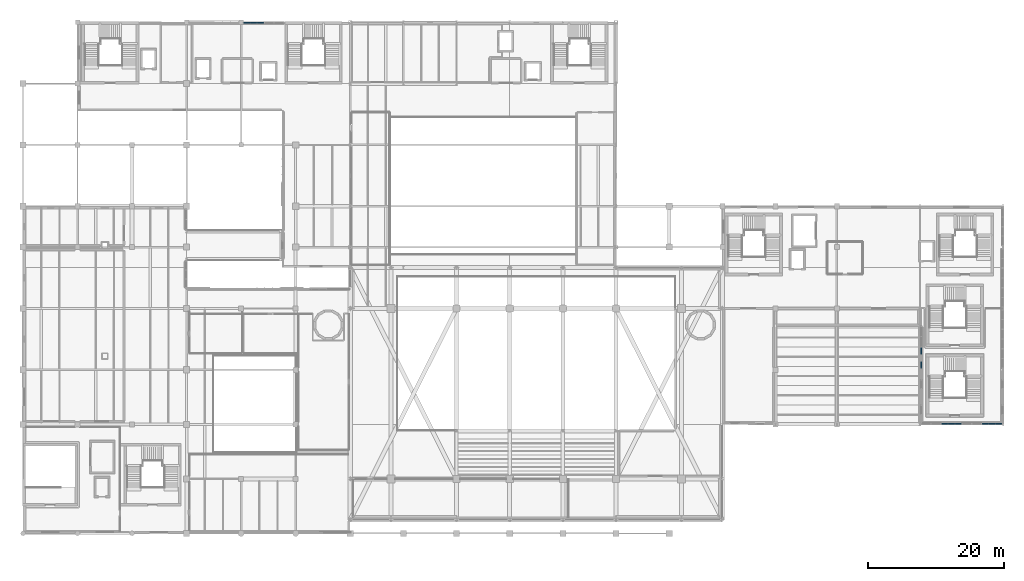
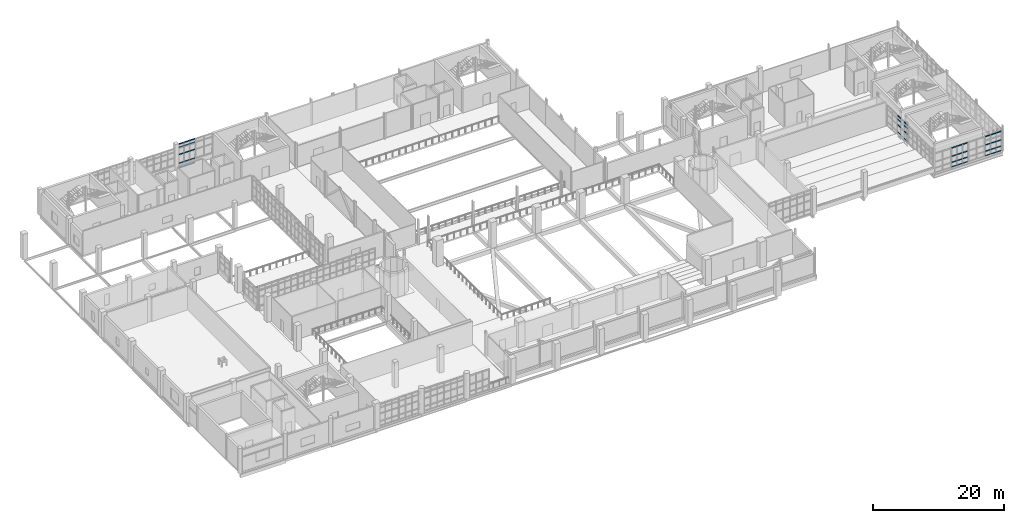
# One storey, part 59 of 100: 49 members, 4 elements without a shape of their own.
"""IFC4 building model written with IfcOpenShell, lengths in metres."""

from ifc_helpers import new_model, si_unit, derived_unit, direction, frame, origin, origin_2d, place, context, subcontext, project, spatial, hollow_rectangle, extrude, material, layer, layer_set, material_profile, profile_set, type_object, element, aggregate, save


model = new_model("IFC4")

# Units and contexts
model_context = context("Model", 3, precision=1e-05, world=origin(), true_north=direction((0.0, 1.0)))
body_context = subcontext(model_context, "Body", "Model", "MODEL_VIEW")
ifc_project = project(units=[si_unit("LENGTHUNIT", "METRE"), si_unit("AREAUNIT", "SQUARE_METRE"), si_unit("VOLUMEUNIT", "CUBIC_METRE"), si_unit("PLANEANGLEUNIT", "RADIAN"), si_unit("MASSUNIT", "GRAM", prefix="KILO"), derived_unit("THERMALTRANSMITTANCEUNIT", [(si_unit("POWERUNIT", "WATT"), 1), (si_unit("LENGTHUNIT", "METRE"), -2), (si_unit("THERMODYNAMICTEMPERATUREUNIT", "KELVIN"), -1)])], contexts=[model_context])

# Site, building, storey
site_placement = place(None, origin())
site = spatial("IfcSite", under=ifc_project, at=site_placement, CompositionType="ELEMENT")
building_placement = place(site_placement, origin())
building = spatial("IfcBuilding", under=site, at=building_placement, Name="Nallur Shell Playhouse", CompositionType="ELEMENT")
storey_placement = place(building_placement, frame((0.0, 0.0, 10.199951171875)))
storey = spatial("IfcBuildingStorey", under=building, at=storey_placement, Name="L03", CompositionType="ELEMENT", Elevation=10.199951171875)

# Curtain wall, members
ifc_material_1 = material(Name="Anodised Aluminium Double-Glazed Facade System", Category="aluminium")
ifc_layer_1 = layer(ifc_material_1, 0.159912109375)
ifc_layer_set_1 = layer_set([ifc_layer_1], Name="Anodised Aluminium Double-Glazed Facade System")
curtain_wall_type_1 = type_object("IfcCurtainWallType", Name="CW-UNIT-12", PredefinedType="NOTDEFINED", material=ifc_layer_set_1)
curtain_wall_1_placement = place(storey_placement, origin())
curtain_wall_1 = element("IfcCurtainWall", 1, at=curtain_wall_1_placement, inside=storey, type_object=curtain_wall_type_1, Name="Unitised curtain wall CW-076 (L03)", PredefinedType="NOTDEFINED")
ifc_material_2 = material(Name="Aluminium Alloy 6063-T6 Transom", Category="aluminium")
ifc_material_profile = material_profile(ifc_material_2, hollow_rectangle(XDim=0.10009765625, YDim=0.199951171875, WallThickness=0.008056640625, at=origin_2d()), Name="RHS 200x100x8")
ifc_profile_set = profile_set([ifc_material_profile], Name="Aluminium Alloy 6063-T6 Transom")
member_type = type_object("IfcMemberType", Name="MB-CW-TRN140", PredefinedType="USERDEFINED", material=ifc_profile_set)
member_1_placement = place(storey_placement, frame((48.389892578125, 82.909912109375, 0.050048828125), z_axis=(1.0, 0.0, 0.0), x_axis=(0.0, 1.0, 0.0)))
member_1 = element("IfcMember", 2, at=member_1_placement, type_object=member_type, Name="CW-12 transom 1.1", ObjectType="TRANSOM", PredefinedType="USERDEFINED", context=body_context, shape_type="SweptSolid", body=[
    extrude(hollow_rectangle(XDim=0.10009765625, YDim=0.199951171875, WallThickness=0.008056640625, at=origin_2d()), origin(), (0.0, 0.0, 1.0), 0.919677734375),
])
member_2_placement = place(storey_placement, frame((48.389892578125, 82.909912109375, 0.900146484375), z_axis=(1.0, 0.0, 0.0), x_axis=(0.0, 1.0, 0.0)))
member_2 = element("IfcMember", 3, at=member_2_placement, type_object=member_type, Name="CW-12 transom 1.2", ObjectType="TRANSOM", PredefinedType="USERDEFINED", context=body_context, shape_type="SweptSolid", body=[
    extrude(hollow_rectangle(XDim=0.10009765625, YDim=0.199951171875, WallThickness=0.008056640625, at=origin_2d()), origin(), (0.0, 0.0, 1.0), 0.919677734375),
])
member_3_placement = place(storey_placement, frame((48.389892578125, 82.909912109375, 2.5419921875), z_axis=(1.0, 0.0, 0.0), x_axis=(0.0, 1.0, 0.0)))
member_3 = element("IfcMember", 4, at=member_3_placement, type_object=member_type, Name="CW-12 transom 1.3", ObjectType="TRANSOM", PredefinedType="USERDEFINED", context=body_context, shape_type="SweptSolid", body=[
    extrude(hollow_rectangle(XDim=0.10009765625, YDim=0.199951171875, WallThickness=0.008056640625, at=origin_2d()), origin(), (0.0, 0.0, 1.0), 0.919677734375),
])
member_4_placement = place(storey_placement, frame((48.389892578125, 82.909912109375, 3.860107421875), z_axis=(1.0, 0.0, 0.0), x_axis=(0.0, 1.0, 0.0)))
member_4 = element("IfcMember", 5, at=member_4_placement, type_object=member_type, Name="CW-12 transom 1.4", ObjectType="TRANSOM", PredefinedType="USERDEFINED", context=body_context, shape_type="SweptSolid", body=[
    extrude(hollow_rectangle(XDim=0.10009765625, YDim=0.199951171875, WallThickness=0.008056640625, at=origin_2d()), origin(), (0.0, 0.0, 1.0), 0.919677734375),
])
member_5_placement = place(storey_placement, frame((48.389892578125, 82.909912109375, 4.489990234375), z_axis=(1.0, 0.0, 0.0), x_axis=(0.0, 1.0, 0.0)))
member_5 = element("IfcMember", 6, at=member_5_placement, type_object=member_type, Name="CW-12 transom 1.5", ObjectType="TRANSOM", PredefinedType="USERDEFINED", context=body_context, shape_type="SweptSolid", body=[
    extrude(hollow_rectangle(XDim=0.10009765625, YDim=0.199951171875, WallThickness=0.008056640625, at=origin_2d()), origin(), (0.0, 0.0, 1.0), 0.919677734375),
])
member_6_placement = place(storey_placement, frame((49.358642578125, 82.909912109375, 0.050048828125), z_axis=(1.0, 0.0, 0.0), x_axis=(0.0, 1.0, 0.0)))
member_6 = element("IfcMember", 7, at=member_6_placement, type_object=member_type, Name="CW-12 transom 2.1", ObjectType="TRANSOM", PredefinedType="USERDEFINED", context=body_context, shape_type="SweptSolid", body=[
    extrude(hollow_rectangle(XDim=0.10009765625, YDim=0.199951171875, WallThickness=0.008056640625, at=origin_2d()), origin(), (0.0, 0.0, 1.0), 0.9521484375),
])
member_7_placement = place(storey_placement, frame((49.358642578125, 82.909912109375, 0.900146484375), z_axis=(1.0, 0.0, 0.0), x_axis=(0.0, 1.0, 0.0)))
member_7 = element("IfcMember", 8, at=member_7_placement, type_object=member_type, Name="CW-12 transom 2.2", ObjectType="TRANSOM", PredefinedType="USERDEFINED", context=body_context, shape_type="SweptSolid", body=[
    extrude(hollow_rectangle(XDim=0.10009765625, YDim=0.199951171875, WallThickness=0.008056640625, at=origin_2d()), origin(), (0.0, 0.0, 1.0), 0.9521484375),
])
member_8_placement = place(storey_placement, frame((49.358642578125, 82.909912109375, 2.5419921875), z_axis=(1.0, 0.0, 0.0), x_axis=(0.0, 1.0, 0.0)))
member_8 = element("IfcMember", 9, at=member_8_placement, type_object=member_type, Name="CW-12 transom 2.3", ObjectType="TRANSOM", PredefinedType="USERDEFINED", context=body_context, shape_type="SweptSolid", body=[
    extrude(hollow_rectangle(XDim=0.10009765625, YDim=0.199951171875, WallThickness=0.008056640625, at=origin_2d()), origin(), (0.0, 0.0, 1.0), 0.9521484375),
])
member_9_placement = place(storey_placement, frame((49.358642578125, 82.909912109375, 3.860107421875), z_axis=(1.0, 0.0, 0.0), x_axis=(0.0, 1.0, 0.0)))
member_9 = element("IfcMember", 10, at=member_9_placement, type_object=member_type, Name="CW-12 transom 2.4", ObjectType="TRANSOM", PredefinedType="USERDEFINED", context=body_context, shape_type="SweptSolid", body=[
    extrude(hollow_rectangle(XDim=0.10009765625, YDim=0.199951171875, WallThickness=0.008056640625, at=origin_2d()), origin(), (0.0, 0.0, 1.0), 0.9521484375),
])
member_10_placement = place(storey_placement, frame((49.358642578125, 82.909912109375, 4.489990234375), z_axis=(1.0, 0.0, 0.0), x_axis=(0.0, 1.0, 0.0)))
member_10 = element("IfcMember", 11, at=member_10_placement, type_object=member_type, Name="CW-12 transom 2.5", ObjectType="TRANSOM", PredefinedType="USERDEFINED", context=body_context, shape_type="SweptSolid", body=[
    extrude(hollow_rectangle(XDim=0.10009765625, YDim=0.199951171875, WallThickness=0.008056640625, at=origin_2d()), origin(), (0.0, 0.0, 1.0), 0.9521484375),
])
member_11_placement = place(storey_placement, frame((50.35986328125, 82.909912109375, 0.050048828125), z_axis=(1.0, 0.0, 0.0), x_axis=(0.0, 1.0, 0.0)))
member_11 = element("IfcMember", 12, at=member_11_placement, type_object=member_type, Name="CW-12 transom 3.1", ObjectType="TRANSOM", PredefinedType="USERDEFINED", context=body_context, shape_type="SweptSolid", body=[
    extrude(hollow_rectangle(XDim=0.10009765625, YDim=0.199951171875, WallThickness=0.008056640625, at=origin_2d()), origin(), (0.0, 0.0, 1.0), 0.919677734375),
])
member_12_placement = place(storey_placement, frame((50.35986328125, 82.909912109375, 0.900146484375), z_axis=(1.0, 0.0, 0.0), x_axis=(0.0, 1.0, 0.0)))
member_12 = element("IfcMember", 13, at=member_12_placement, type_object=member_type, Name="CW-12 transom 3.2", ObjectType="TRANSOM", PredefinedType="USERDEFINED", context=body_context, shape_type="SweptSolid", body=[
    extrude(hollow_rectangle(XDim=0.10009765625, YDim=0.199951171875, WallThickness=0.008056640625, at=origin_2d()), origin(), (0.0, 0.0, 1.0), 0.919677734375),
])
member_13_placement = place(storey_placement, frame((50.35986328125, 82.909912109375, 2.5419921875), z_axis=(1.0, 0.0, 0.0), x_axis=(0.0, 1.0, 0.0)))
member_13 = element("IfcMember", 14, at=member_13_placement, type_object=member_type, Name="CW-12 transom 3.3", ObjectType="TRANSOM", PredefinedType="USERDEFINED", context=body_context, shape_type="SweptSolid", body=[
    extrude(hollow_rectangle(XDim=0.10009765625, YDim=0.199951171875, WallThickness=0.008056640625, at=origin_2d()), origin(), (0.0, 0.0, 1.0), 0.919677734375),
])
member_14_placement = place(storey_placement, frame((50.35986328125, 82.909912109375, 3.860107421875), z_axis=(1.0, 0.0, 0.0), x_axis=(0.0, 1.0, 0.0)))
member_14 = element("IfcMember", 15, at=member_14_placement, type_object=member_type, Name="CW-12 transom 3.4", ObjectType="TRANSOM", PredefinedType="USERDEFINED", context=body_context, shape_type="SweptSolid", body=[
    extrude(hollow_rectangle(XDim=0.10009765625, YDim=0.199951171875, WallThickness=0.008056640625, at=origin_2d()), origin(), (0.0, 0.0, 1.0), 0.919677734375),
])
member_15_placement = place(storey_placement, frame((50.35986328125, 82.909912109375, 4.489990234375), z_axis=(1.0, 0.0, 0.0), x_axis=(0.0, 1.0, 0.0)))
member_15 = element("IfcMember", 16, at=member_15_placement, type_object=member_type, Name="CW-12 transom 3.5", ObjectType="TRANSOM", PredefinedType="USERDEFINED", context=body_context, shape_type="SweptSolid", body=[
    extrude(hollow_rectangle(XDim=0.10009765625, YDim=0.199951171875, WallThickness=0.008056640625, at=origin_2d()), origin(), (0.0, 0.0, 1.0), 0.919677734375),
])
aggregate(curtain_wall_1, [member_1, member_2, member_3, member_4, member_5, member_6, member_7, member_8, member_9, member_10, member_11, member_12, member_13, member_14, member_15])

ifc_layer_2 = layer(ifc_material_1, 0.159912109375)
ifc_layer_set_2 = layer_set([ifc_layer_2], Name="Anodised Aluminium Double-Glazed Facade System")
curtain_wall_type_2 = type_object("IfcCurtainWallType", Name="CW-UNIT-24", PredefinedType="NOTDEFINED", material=ifc_layer_set_2)
curtain_wall_2_placement = place(storey_placement, origin())
curtain_wall_2 = element("IfcCurtainWall", 17, at=curtain_wall_2_placement, inside=storey, type_object=curtain_wall_type_2, Name="Unitised curtain wall CW-088 (L03)", PredefinedType="NOTDEFINED")
member_16_placement = place(storey_placement, frame((159.610107421875, 24.090087890625, 0.050048828125), z_axis=(-1.0, 0.0, 0.0), x_axis=(0.0, -1.0, 0.0)))
member_16 = element("IfcMember", 18, at=member_16_placement, type_object=member_type, Name="CW-24 transom 1.1", ObjectType="TRANSOM", PredefinedType="USERDEFINED", context=body_context, shape_type="SweptSolid", body=[
    extrude(hollow_rectangle(XDim=0.10009765625, YDim=0.199951171875, WallThickness=0.008056640625, at=origin_2d()), origin(), (0.0, 0.0, 1.0), 0.911376953125),
])
member_17_placement = place(storey_placement, frame((159.610107421875, 24.090087890625, 0.900146484375), z_axis=(-1.0, 0.0, 0.0), x_axis=(0.0, -1.0, 0.0)))
member_17 = element("IfcMember", 19, at=member_17_placement, type_object=member_type, Name="CW-24 transom 1.2", ObjectType="TRANSOM", PredefinedType="USERDEFINED", context=body_context, shape_type="SweptSolid", body=[
    extrude(hollow_rectangle(XDim=0.10009765625, YDim=0.199951171875, WallThickness=0.008056640625, at=origin_2d()), origin(), (0.0, 0.0, 1.0), 0.911376953125),
])
member_18_placement = place(storey_placement, frame((159.610107421875, 24.090087890625, 2.05810546875), z_axis=(-1.0, 0.0, 0.0), x_axis=(0.0, -1.0, 0.0)))
member_18 = element("IfcMember", 20, at=member_18_placement, type_object=member_type, Name="CW-24 transom 1.3", ObjectType="TRANSOM", PredefinedType="USERDEFINED", context=body_context, shape_type="SweptSolid", body=[
    extrude(hollow_rectangle(XDim=0.10009765625, YDim=0.199951171875, WallThickness=0.008056640625, at=origin_2d()), origin(), (0.0, 0.0, 1.0), 0.911376953125),
])
member_19_placement = place(storey_placement, frame((159.610107421875, 24.090087890625, 3.625), z_axis=(-1.0, 0.0, 0.0), x_axis=(0.0, -1.0, 0.0)))
member_19 = element("IfcMember", 21, at=member_19_placement, type_object=member_type, Name="CW-24 transom 1.4", ObjectType="TRANSOM", PredefinedType="USERDEFINED", context=body_context, shape_type="SweptSolid", body=[
    extrude(hollow_rectangle(XDim=0.10009765625, YDim=0.199951171875, WallThickness=0.008056640625, at=origin_2d()), origin(), (0.0, 0.0, 1.0), 0.911376953125),
])
member_20_placement = place(storey_placement, frame((158.649658203125, 24.090087890625, 0.050048828125), z_axis=(-1.0, 0.0, 0.0), x_axis=(0.0, -1.0, 0.0)))
member_20 = element("IfcMember", 22, at=member_20_placement, type_object=member_type, Name="CW-24 transom 2.1", ObjectType="TRANSOM", PredefinedType="USERDEFINED", context=body_context, shape_type="SweptSolid", body=[
    extrude(hollow_rectangle(XDim=0.10009765625, YDim=0.199951171875, WallThickness=0.008056640625, at=origin_2d()), origin(), (0.0, 0.0, 1.0), 0.94384765625),
])
member_21_placement = place(storey_placement, frame((158.649658203125, 24.090087890625, 0.900146484375), z_axis=(-1.0, 0.0, 0.0), x_axis=(0.0, -1.0, 0.0)))
member_21 = element("IfcMember", 23, at=member_21_placement, type_object=member_type, Name="CW-24 transom 2.2", ObjectType="TRANSOM", PredefinedType="USERDEFINED", context=body_context, shape_type="SweptSolid", body=[
    extrude(hollow_rectangle(XDim=0.10009765625, YDim=0.199951171875, WallThickness=0.008056640625, at=origin_2d()), origin(), (0.0, 0.0, 1.0), 0.94384765625),
])
member_22_placement = place(storey_placement, frame((158.649658203125, 24.090087890625, 2.05810546875), z_axis=(-1.0, 0.0, 0.0), x_axis=(0.0, -1.0, 0.0)))
member_22 = element("IfcMember", 24, at=member_22_placement, type_object=member_type, Name="CW-24 transom 2.3", ObjectType="TRANSOM", PredefinedType="USERDEFINED", context=body_context, shape_type="SweptSolid", body=[
    extrude(hollow_rectangle(XDim=0.10009765625, YDim=0.199951171875, WallThickness=0.008056640625, at=origin_2d()), origin(), (0.0, 0.0, 1.0), 0.94384765625),
])
member_23_placement = place(storey_placement, frame((158.649658203125, 24.090087890625, 3.625), z_axis=(-1.0, 0.0, 0.0), x_axis=(0.0, -1.0, 0.0)))
member_23 = element("IfcMember", 25, at=member_23_placement, type_object=member_type, Name="CW-24 transom 2.4", ObjectType="TRANSOM", PredefinedType="USERDEFINED", context=body_context, shape_type="SweptSolid", body=[
    extrude(hollow_rectangle(XDim=0.10009765625, YDim=0.199951171875, WallThickness=0.008056640625, at=origin_2d()), origin(), (0.0, 0.0, 1.0), 0.94384765625),
])
member_24_placement = place(storey_placement, frame((157.65673828125, 24.090087890625, 0.050048828125), z_axis=(-1.0, 0.0, 0.0), x_axis=(0.0, -1.0, 0.0)))
member_24 = element("IfcMember", 26, at=member_24_placement, type_object=member_type, Name="CW-24 transom 3.1", ObjectType="TRANSOM", PredefinedType="USERDEFINED", context=body_context, shape_type="SweptSolid", body=[
    extrude(hollow_rectangle(XDim=0.10009765625, YDim=0.199951171875, WallThickness=0.008056640625, at=origin_2d()), origin(), (0.0, 0.0, 1.0), 0.9111328125),
])
member_25_placement = place(storey_placement, frame((157.65673828125, 24.090087890625, 0.900146484375), z_axis=(-1.0, 0.0, 0.0), x_axis=(0.0, -1.0, 0.0)))
member_25 = element("IfcMember", 27, at=member_25_placement, type_object=member_type, Name="CW-24 transom 3.2", ObjectType="TRANSOM", PredefinedType="USERDEFINED", context=body_context, shape_type="SweptSolid", body=[
    extrude(hollow_rectangle(XDim=0.10009765625, YDim=0.199951171875, WallThickness=0.008056640625, at=origin_2d()), origin(), (0.0, 0.0, 1.0), 0.9111328125),
])
member_26_placement = place(storey_placement, frame((157.65673828125, 24.090087890625, 2.05810546875), z_axis=(-1.0, 0.0, 0.0), x_axis=(0.0, -1.0, 0.0)))
member_26 = element("IfcMember", 28, at=member_26_placement, type_object=member_type, Name="CW-24 transom 3.3", ObjectType="TRANSOM", PredefinedType="USERDEFINED", context=body_context, shape_type="SweptSolid", body=[
    extrude(hollow_rectangle(XDim=0.10009765625, YDim=0.199951171875, WallThickness=0.008056640625, at=origin_2d()), origin(), (0.0, 0.0, 1.0), 0.9111328125),
])
member_27_placement = place(storey_placement, frame((157.65673828125, 24.090087890625, 3.625), z_axis=(-1.0, 0.0, 0.0), x_axis=(0.0, -1.0, 0.0)))
member_27 = element("IfcMember", 29, at=member_27_placement, type_object=member_type, Name="CW-24 transom 3.4", ObjectType="TRANSOM", PredefinedType="USERDEFINED", context=body_context, shape_type="SweptSolid", body=[
    extrude(hollow_rectangle(XDim=0.10009765625, YDim=0.199951171875, WallThickness=0.008056640625, at=origin_2d()), origin(), (0.0, 0.0, 1.0), 0.9111328125),
])
aggregate(curtain_wall_2, [member_16, member_17, member_18, member_19, member_20, member_21, member_22, member_23, member_24, member_25, member_26, member_27])

ifc_layer_3 = layer(ifc_material_1, 0.16796875)
ifc_layer_set_3 = layer_set([ifc_layer_3], Name="Anodised Aluminium Double-Glazed Facade System")
curtain_wall_type_3 = type_object("IfcCurtainWallType", Name="CW-UNIT-26", PredefinedType="NOTDEFINED", material=ifc_layer_set_3)
curtain_wall_3_placement = place(storey_placement, origin())
curtain_wall_3 = element("IfcCurtainWall", 30, at=curtain_wall_3_placement, inside=storey, type_object=curtain_wall_type_3, Name="Unitised curtain wall CW-090 (L03)", PredefinedType="NOTDEFINED")
member_28_placement = place(storey_placement, frame((153.6279296875, 24.090087890625, 0.050048828125), z_axis=(-1.0, 0.0, 0.0), x_axis=(0.0, -1.0, 0.0)))
member_28 = element("IfcMember", 31, at=member_28_placement, type_object=member_type, Name="CW-26 transom 1.1", ObjectType="TRANSOM", PredefinedType="USERDEFINED", context=body_context, shape_type="SweptSolid", body=[
    extrude(hollow_rectangle(XDim=0.10009765625, YDim=0.199951171875, WallThickness=0.008056640625, at=origin_2d()), origin(), (0.0, 0.0, 1.0), 0.89453125),
])
member_29_placement = place(storey_placement, frame((153.6279296875, 24.090087890625, 0.900146484375), z_axis=(-1.0, 0.0, 0.0), x_axis=(0.0, -1.0, 0.0)))
member_29 = element("IfcMember", 32, at=member_29_placement, type_object=member_type, Name="CW-26 transom 1.2", ObjectType="TRANSOM", PredefinedType="USERDEFINED", context=body_context, shape_type="SweptSolid", body=[
    extrude(hollow_rectangle(XDim=0.10009765625, YDim=0.199951171875, WallThickness=0.008056640625, at=origin_2d()), origin(), (0.0, 0.0, 1.0), 0.89453125),
])
member_30_placement = place(storey_placement, frame((153.6279296875, 24.090087890625, 2.0361328125), z_axis=(-1.0, 0.0, 0.0), x_axis=(0.0, -1.0, 0.0)))
member_30 = element("IfcMember", 33, at=member_30_placement, type_object=member_type, Name="CW-26 transom 1.3", ObjectType="TRANSOM", PredefinedType="USERDEFINED", context=body_context, shape_type="SweptSolid", body=[
    extrude(hollow_rectangle(XDim=0.10009765625, YDim=0.199951171875, WallThickness=0.008056640625, at=origin_2d()), origin(), (0.0, 0.0, 1.0), 0.89453125),
])
member_31_placement = place(storey_placement, frame((153.6279296875, 24.090087890625, 3.5849609375), z_axis=(-1.0, 0.0, 0.0), x_axis=(0.0, -1.0, 0.0)))
member_31 = element("IfcMember", 34, at=member_31_placement, type_object=member_type, Name="CW-26 transom 1.4", ObjectType="TRANSOM", PredefinedType="USERDEFINED", context=body_context, shape_type="SweptSolid", body=[
    extrude(hollow_rectangle(XDim=0.10009765625, YDim=0.199951171875, WallThickness=0.008056640625, at=origin_2d()), origin(), (0.0, 0.0, 1.0), 0.89453125),
])
member_32_placement = place(storey_placement, frame((152.67431640625, 24.090087890625, 0.050048828125), z_axis=(-1.0, 0.0, 0.0), x_axis=(0.0, -1.0, 0.0)))
member_32 = element("IfcMember", 35, at=member_32_placement, type_object=member_type, Name="CW-26 transom 2.1", ObjectType="TRANSOM", PredefinedType="USERDEFINED", context=body_context, shape_type="SweptSolid", body=[
    extrude(hollow_rectangle(XDim=0.10009765625, YDim=0.199951171875, WallThickness=0.008056640625, at=origin_2d()), origin(), (0.0, 0.0, 1.0), 0.93212890625),
])
member_33_placement = place(storey_placement, frame((152.67431640625, 24.090087890625, 0.900146484375), z_axis=(-1.0, 0.0, 0.0), x_axis=(0.0, -1.0, 0.0)))
member_33 = element("IfcMember", 36, at=member_33_placement, type_object=member_type, Name="CW-26 transom 2.2", ObjectType="TRANSOM", PredefinedType="USERDEFINED", context=body_context, shape_type="SweptSolid", body=[
    extrude(hollow_rectangle(XDim=0.10009765625, YDim=0.199951171875, WallThickness=0.008056640625, at=origin_2d()), origin(), (0.0, 0.0, 1.0), 0.93212890625),
])
member_34_placement = place(storey_placement, frame((152.67431640625, 24.090087890625, 2.0361328125), z_axis=(-1.0, 0.0, 0.0), x_axis=(0.0, -1.0, 0.0)))
member_34 = element("IfcMember", 37, at=member_34_placement, type_object=member_type, Name="CW-26 transom 2.3", ObjectType="TRANSOM", PredefinedType="USERDEFINED", context=body_context, shape_type="SweptSolid", body=[
    extrude(hollow_rectangle(XDim=0.10009765625, YDim=0.199951171875, WallThickness=0.008056640625, at=origin_2d()), origin(), (0.0, 0.0, 1.0), 0.93212890625),
])
member_35_placement = place(storey_placement, frame((152.67431640625, 24.090087890625, 3.5849609375), z_axis=(-1.0, 0.0, 0.0), x_axis=(0.0, -1.0, 0.0)))
member_35 = element("IfcMember", 38, at=member_35_placement, type_object=member_type, Name="CW-26 transom 2.4", ObjectType="TRANSOM", PredefinedType="USERDEFINED", context=body_context, shape_type="SweptSolid", body=[
    extrude(hollow_rectangle(XDim=0.10009765625, YDim=0.199951171875, WallThickness=0.008056640625, at=origin_2d()), origin(), (0.0, 0.0, 1.0), 0.93212890625),
])
member_36_placement = place(storey_placement, frame((151.68310546875, 24.090087890625, 0.050048828125), z_axis=(-1.0, 0.0, 0.0), x_axis=(0.0, -1.0, 0.0)))
member_36 = element("IfcMember", 39, at=member_36_placement, type_object=member_type, Name="CW-26 transom 3.1", ObjectType="TRANSOM", PredefinedType="USERDEFINED", context=body_context, shape_type="SweptSolid", body=[
    extrude(hollow_rectangle(XDim=0.10009765625, YDim=0.199951171875, WallThickness=0.008056640625, at=origin_2d()), origin(), (0.0, 0.0, 1.0), 0.89453125),
])
member_37_placement = place(storey_placement, frame((151.68310546875, 24.090087890625, 0.900146484375), z_axis=(-1.0, 0.0, 0.0), x_axis=(0.0, -1.0, 0.0)))
member_37 = element("IfcMember", 40, at=member_37_placement, type_object=member_type, Name="CW-26 transom 3.2", ObjectType="TRANSOM", PredefinedType="USERDEFINED", context=body_context, shape_type="SweptSolid", body=[
    extrude(hollow_rectangle(XDim=0.10009765625, YDim=0.199951171875, WallThickness=0.008056640625, at=origin_2d()), origin(), (0.0, 0.0, 1.0), 0.89453125),
])
member_38_placement = place(storey_placement, frame((151.68310546875, 24.090087890625, 2.0361328125), z_axis=(-1.0, 0.0, 0.0), x_axis=(0.0, -1.0, 0.0)))
member_38 = element("IfcMember", 41, at=member_38_placement, type_object=member_type, Name="CW-26 transom 3.3", ObjectType="TRANSOM", PredefinedType="USERDEFINED", context=body_context, shape_type="SweptSolid", body=[
    extrude(hollow_rectangle(XDim=0.10009765625, YDim=0.199951171875, WallThickness=0.008056640625, at=origin_2d()), origin(), (0.0, 0.0, 1.0), 0.89453125),
])
member_39_placement = place(storey_placement, frame((151.68310546875, 24.090087890625, 3.5849609375), z_axis=(-1.0, 0.0, 0.0), x_axis=(0.0, -1.0, 0.0)))
member_39 = element("IfcMember", 42, at=member_39_placement, type_object=member_type, Name="CW-26 transom 3.4", ObjectType="TRANSOM", PredefinedType="USERDEFINED", context=body_context, shape_type="SweptSolid", body=[
    extrude(hollow_rectangle(XDim=0.10009765625, YDim=0.199951171875, WallThickness=0.008056640625, at=origin_2d()), origin(), (0.0, 0.0, 1.0), 0.89453125),
])
aggregate(curtain_wall_3, [member_28, member_29, member_30, member_31, member_32, member_33, member_34, member_35, member_36, member_37, member_38, member_39])

ifc_layer_4 = layer(ifc_material_1, 0.159912109375)
ifc_layer_set_4 = layer_set([ifc_layer_4], Name="Anodised Aluminium Double-Glazed Facade System")
curtain_wall_type_4 = type_object("IfcCurtainWallType", Name="CW-UNIT-30", PredefinedType="NOTDEFINED", material=ifc_layer_set_4)
curtain_wall_4_placement = place(storey_placement, origin())
curtain_wall_4 = element("IfcCurtainWall", 43, at=curtain_wall_4_placement, inside=storey, type_object=curtain_wall_type_4, Name="Unitised curtain wall CW-094 (L03)", PredefinedType="NOTDEFINED")
member_40_placement = place(storey_placement, frame((147.7900390625, 32.264892578125, 0.050048828125), z_axis=(0.0, 1.0, 0.0), x_axis=(-1.0, 0.0, 0.0)))
member_40 = element("IfcMember", 44, at=member_40_placement, type_object=member_type, Name="CW-30 transom 1.1", ObjectType="TRANSOM", PredefinedType="USERDEFINED", context=body_context, shape_type="SweptSolid", body=[
    extrude(hollow_rectangle(XDim=0.10009765625, YDim=0.199951171875, WallThickness=0.008056640625, at=origin_2d()), origin(), (0.0, 0.0, 1.0), 0.948974609375),
])
member_41_placement = place(storey_placement, frame((147.7900390625, 32.264892578125, 0.900146484375), z_axis=(0.0, 1.0, 0.0), x_axis=(-1.0, 0.0, 0.0)))
member_41 = element("IfcMember", 45, at=member_41_placement, type_object=member_type, Name="CW-30 transom 1.2", ObjectType="TRANSOM", PredefinedType="USERDEFINED", context=body_context, shape_type="SweptSolid", body=[
    extrude(hollow_rectangle(XDim=0.10009765625, YDim=0.199951171875, WallThickness=0.008056640625, at=origin_2d()), origin(), (0.0, 0.0, 1.0), 0.948974609375),
])
member_42_placement = place(storey_placement, frame((147.7900390625, 32.264892578125, 2.23193359375), z_axis=(0.0, 1.0, 0.0), x_axis=(-1.0, 0.0, 0.0)))
member_42 = element("IfcMember", 46, at=member_42_placement, type_object=member_type, Name="CW-30 transom 1.3", ObjectType="TRANSOM", PredefinedType="USERDEFINED", context=body_context, shape_type="SweptSolid", body=[
    extrude(hollow_rectangle(XDim=0.10009765625, YDim=0.199951171875, WallThickness=0.008056640625, at=origin_2d()), origin(), (0.0, 0.0, 1.0), 0.948974609375),
])
member_43_placement = place(storey_placement, frame((147.7900390625, 32.264892578125, 3.304931640625), z_axis=(0.0, 1.0, 0.0), x_axis=(-1.0, 0.0, 0.0)))
member_43 = element("IfcMember", 47, at=member_43_placement, type_object=member_type, Name="CW-30 transom 1.4", ObjectType="TRANSOM", PredefinedType="USERDEFINED", context=body_context, shape_type="SweptSolid", body=[
    extrude(hollow_rectangle(XDim=0.10009765625, YDim=0.199951171875, WallThickness=0.008056640625, at=origin_2d()), origin(), (0.0, 0.0, 1.0), 0.948974609375),
])
member_44_placement = place(storey_placement, frame((147.7900390625, 32.264892578125, 3.93505859375), z_axis=(0.0, 1.0, 0.0), x_axis=(-1.0, 0.0, 0.0)))
member_44 = element("IfcMember", 48, at=member_44_placement, type_object=member_type, Name="CW-30 transom 1.5", ObjectType="TRANSOM", PredefinedType="USERDEFINED", context=body_context, shape_type="SweptSolid", body=[
    extrude(hollow_rectangle(XDim=0.10009765625, YDim=0.199951171875, WallThickness=0.008056640625, at=origin_2d()), origin(), (0.0, 0.0, 1.0), 0.948974609375),
])
member_45_placement = place(storey_placement, frame((147.7900390625, 34.293212890625, 0.050048828125), z_axis=(0.0, 1.0, 0.0), x_axis=(-1.0, 0.0, 0.0)))
member_45 = element("IfcMember", 49, at=member_45_placement, type_object=member_type, Name="CW-30 transom 3.1", ObjectType="TRANSOM", PredefinedType="USERDEFINED", context=body_context, shape_type="SweptSolid", body=[
    extrude(hollow_rectangle(XDim=0.10009765625, YDim=0.199951171875, WallThickness=0.008056640625, at=origin_2d()), origin(), (0.0, 0.0, 1.0), 0.94873046875),
])
member_46_placement = place(storey_placement, frame((147.7900390625, 34.293212890625, 0.900146484375), z_axis=(0.0, 1.0, 0.0), x_axis=(-1.0, 0.0, 0.0)))
member_46 = element("IfcMember", 50, at=member_46_placement, type_object=member_type, Name="CW-30 transom 3.2", ObjectType="TRANSOM", PredefinedType="USERDEFINED", context=body_context, shape_type="SweptSolid", body=[
    extrude(hollow_rectangle(XDim=0.10009765625, YDim=0.199951171875, WallThickness=0.008056640625, at=origin_2d()), origin(), (0.0, 0.0, 1.0), 0.94873046875),
])
member_47_placement = place(storey_placement, frame((147.7900390625, 34.293212890625, 2.23193359375), z_axis=(0.0, 1.0, 0.0), x_axis=(-1.0, 0.0, 0.0)))
member_47 = element("IfcMember", 51, at=member_47_placement, type_object=member_type, Name="CW-30 transom 3.3", ObjectType="TRANSOM", PredefinedType="USERDEFINED", context=body_context, shape_type="SweptSolid", body=[
    extrude(hollow_rectangle(XDim=0.10009765625, YDim=0.199951171875, WallThickness=0.008056640625, at=origin_2d()), origin(), (0.0, 0.0, 1.0), 0.94873046875),
])
member_48_placement = place(storey_placement, frame((147.7900390625, 34.293212890625, 3.304931640625), z_axis=(0.0, 1.0, 0.0), x_axis=(-1.0, 0.0, 0.0)))
member_48 = element("IfcMember", 52, at=member_48_placement, type_object=member_type, Name="CW-30 transom 3.4", ObjectType="TRANSOM", PredefinedType="USERDEFINED", context=body_context, shape_type="SweptSolid", body=[
    extrude(hollow_rectangle(XDim=0.10009765625, YDim=0.199951171875, WallThickness=0.008056640625, at=origin_2d()), origin(), (0.0, 0.0, 1.0), 0.94873046875),
])
member_49_placement = place(storey_placement, frame((147.7900390625, 34.293212890625, 3.93505859375), z_axis=(0.0, 1.0, 0.0), x_axis=(-1.0, 0.0, 0.0)))
member_49 = element("IfcMember", 53, at=member_49_placement, type_object=member_type, Name="CW-30 transom 3.5", ObjectType="TRANSOM", PredefinedType="USERDEFINED", context=body_context, shape_type="SweptSolid", body=[
    extrude(hollow_rectangle(XDim=0.10009765625, YDim=0.199951171875, WallThickness=0.008056640625, at=origin_2d()), origin(), (0.0, 0.0, 1.0), 0.94873046875),
])
aggregate(curtain_wall_4, [member_40, member_41, member_42, member_43, member_44, member_45, member_46, member_47, member_48, member_49])

save(model, "model.ifc")
